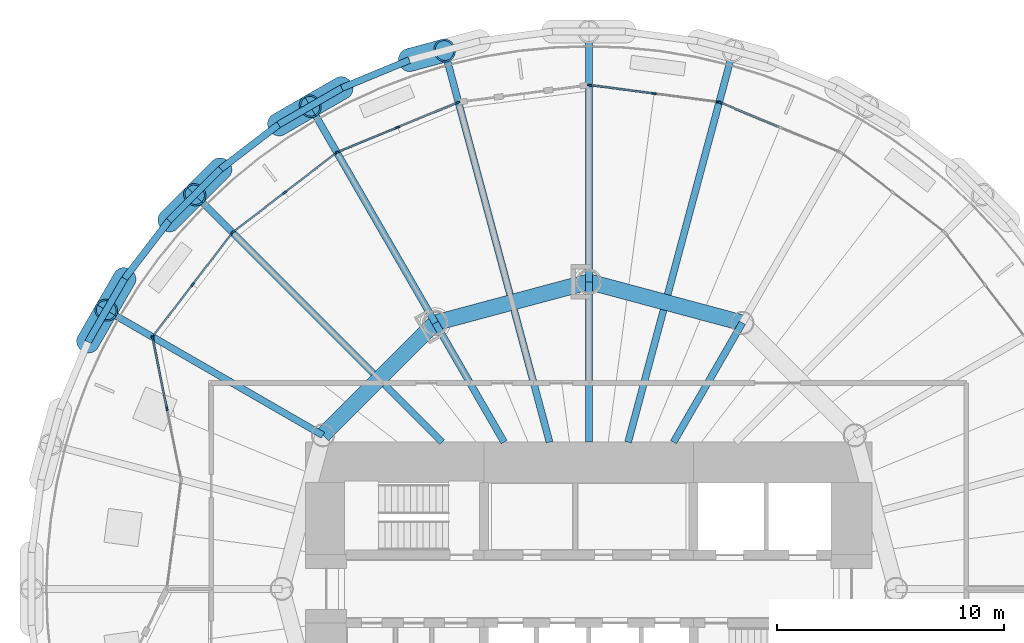
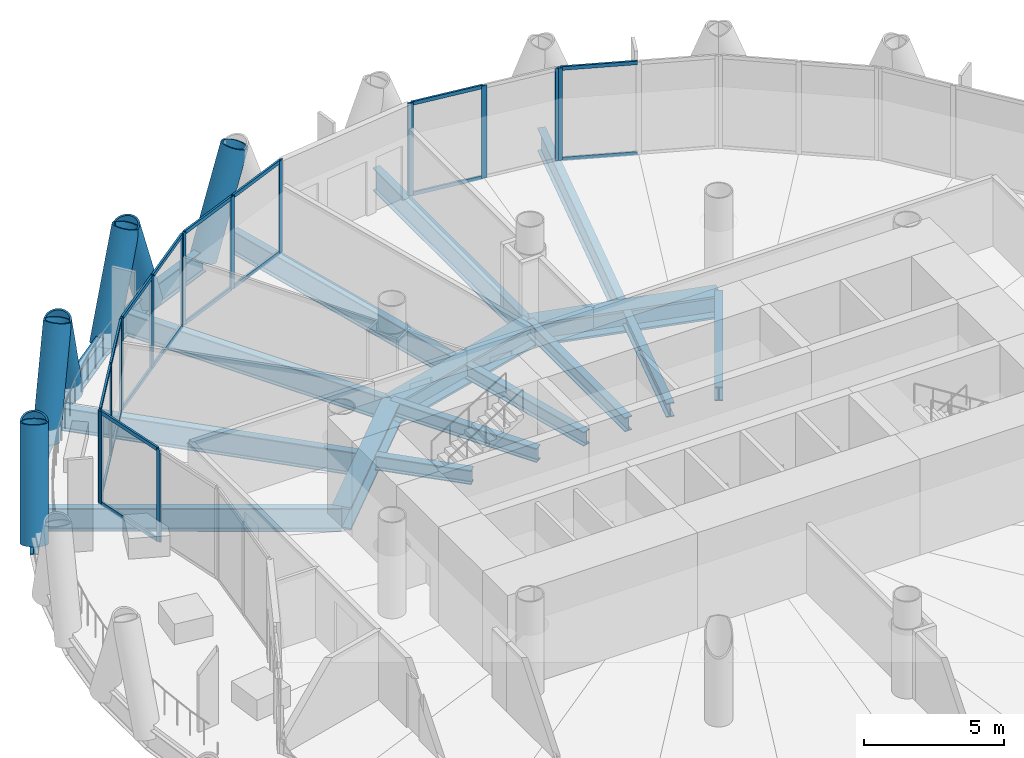
# One storey, part 6 of 16: 40 members, 21 beams, 6 elements without a shape of their own.
"""IFC4 building model written with IfcOpenShell, lengths in metres."""

from ifc_helpers import new_model, si_unit, direction, frame, origin, origin_2d, place, context, subcontext, project, spatial, rectangle, hollow_circle, i_section, extrude, material, material_profile, profile_set, type_object, element, aggregate, save


model = new_model("IFC4")

# Units and contexts
model_context = context("Model", 3, precision=1e-05, world=origin(), true_north=direction((0.0, 1.0)))
body_context = subcontext(model_context, "Body", "Model", "MODEL_VIEW")
ifc_project = project(units=[si_unit("LENGTHUNIT", "METRE"), si_unit("AREAUNIT", "SQUARE_METRE"), si_unit("VOLUMEUNIT", "CUBIC_METRE"), si_unit("PLANEANGLEUNIT", "RADIAN"), si_unit("MASSUNIT", "GRAM", prefix="KILO")], contexts=[model_context])

# Site, building, storey
site_placement = place(None, origin())
site = spatial("IfcSite", under=ifc_project, at=site_placement, CompositionType="ELEMENT")
building_placement = place(site_placement, origin())
building = spatial("IfcBuilding", under=site, at=building_placement, Name="Qaws Media Tower", CompositionType="ELEMENT")
storey_placement = place(building_placement, frame((0.0, 0.0, 173.0)))
storey = spatial("IfcBuildingStorey", under=building, at=storey_placement, Name="L39", CompositionType="ELEMENT", Elevation=173.0)

# Curtain wall, member
ifc_material_1 = material(Name="Aluminium and clear glass", Category="aluminium")
curtain_wall_type_1 = type_object("IfcCurtainWallType", Name="Unitised curtain wall CW-B", PredefinedType="NOTDEFINED", material=ifc_material_1)
curtain_wall_1_placement = place(storey_placement, origin())
curtain_wall_1 = element("IfcCurtainWall", 1, at=curtain_wall_1_placement, inside=storey, type_object=curtain_wall_type_1, Name="CWB curtain wall L39-05", PredefinedType="NOTDEFINED")
ifc_material_2 = material(Name="Aluminium mullion", Category="aluminium")
ifc_material_profile_1 = material_profile(ifc_material_2, rectangle(XDim=0.080078125, YDim=0.199951171875, at=origin_2d()), Name="80x200")
ifc_profile_set_1 = profile_set([ifc_material_profile_1], Name="Aluminium mullion")
member_type_1 = type_object("IfcMemberType", Name="Curtain wall mullion 80x200", PredefinedType="MULLION", material=ifc_profile_set_1)
member_1_placement = place(storey_placement, frame((65.769775390625, 71.3798828125, 0.0), z_axis=(0.0, 0.0, 1.0), x_axis=(-0.382683388683, -0.923879550605, 0.0)))
member_1 = element("IfcMember", 2, at=member_1_placement, type_object=member_type_1, Name="CWB mullion 3", PredefinedType="MULLION", context=body_context, shape_type="SweptSolid", body=[
    extrude(rectangle(XDim=0.080078125, YDim=0.199951171875, at=origin_2d()), origin(), (0.0, 0.0, 1.0), 4.0400390625),
])

# Curtain wall, members
curtain_wall_2_placement = place(storey_placement, origin())
curtain_wall_2 = element("IfcCurtainWall", 3, at=curtain_wall_2_placement, inside=storey, type_object=curtain_wall_type_1, Name="CWB curtain wall L39-06", PredefinedType="NOTDEFINED")
member_2_placement = place(storey_placement, frame((65.693115234375, 71.400390625, 0.0), z_axis=(0.0, 0.0, 1.0), x_axis=(-0.13052619774, -0.991444860647, 0.0)))
member_2 = element("IfcMember", 4, at=member_2_placement, type_object=member_type_1, Name="CWB mullion 1", PredefinedType="MULLION", context=body_context, shape_type="SweptSolid", body=[
    extrude(rectangle(XDim=0.080078125, YDim=0.199951171875, at=origin_2d()), origin(), (0.0, 0.0, 1.0), 4.0400390625),
])
member_3_placement = place(storey_placement, frame((62.866455078125, 71.772705078125, 0.0), z_axis=(0.0, 0.0, 1.0), x_axis=(-0.13052619774, -0.991444860647, 0.0)))
member_3 = element("IfcMember", 5, at=member_3_placement, type_object=member_type_1, Name="CWB mullion 2", PredefinedType="MULLION", context=body_context, shape_type="SweptSolid", body=[
    extrude(rectangle(XDim=0.080078125, YDim=0.199951171875, at=origin_2d()), origin(), (0.0, 0.0, 1.0), 4.0400390625),
])
member_4_placement = place(storey_placement, frame((60.03955078125, 72.144775390625, 0.0), z_axis=(0.0, 0.0, 1.0), x_axis=(-0.13052619774, -0.991444860647, 0.0)))
member_4 = element("IfcMember", 6, at=member_4_placement, type_object=member_type_1, Name="CWB mullion 3", PredefinedType="MULLION", context=body_context, shape_type="SweptSolid", body=[
    extrude(rectangle(XDim=0.080078125, YDim=0.199951171875, at=origin_2d()), origin(), (0.0, 0.0, 1.0), 4.0400390625),
])

curtain_wall_3_placement = place(storey_placement, origin())
curtain_wall_3 = element("IfcCurtainWall", 7, at=curtain_wall_3_placement, inside=storey, type_object=curtain_wall_type_1, Name="CWB curtain wall L39-08", PredefinedType="NOTDEFINED")
member_5_placement = place(storey_placement, frame((54.230224609375, 71.3798828125, 0.0), z_axis=(0.0, 0.0, 1.0), x_axis=(0.382683388683, -0.923879550605, 0.0)))
member_5 = element("IfcMember", 8, at=member_5_placement, type_object=member_type_1, Name="CWB mullion 1", PredefinedType="MULLION", context=body_context, shape_type="SweptSolid", body=[
    extrude(rectangle(XDim=0.080078125, YDim=0.199951171875, at=origin_2d()), origin(), (0.0, 0.0, 1.0), 4.0400390625),
])
member_6_placement = place(storey_placement, frame((51.59619140625, 70.288818359375, 0.0), z_axis=(0.0, 0.0, 1.0), x_axis=(0.382683388683, -0.923879550605, 0.0)))
member_6 = element("IfcMember", 9, at=member_6_placement, type_object=member_type_1, Name="CWB mullion 2", PredefinedType="MULLION", context=body_context, shape_type="SweptSolid", body=[
    extrude(rectangle(XDim=0.080078125, YDim=0.199951171875, at=origin_2d()), origin(), (0.0, 0.0, 1.0), 4.0400390625),
])
member_7_placement = place(storey_placement, frame((48.9619140625, 69.19775390625, 0.0), z_axis=(0.0, 0.0, 1.0), x_axis=(0.382683388683, -0.923879550605, 0.0)))
member_7 = element("IfcMember", 10, at=member_7_placement, type_object=member_type_1, Name="CWB mullion 3", PredefinedType="MULLION", context=body_context, shape_type="SweptSolid", body=[
    extrude(rectangle(XDim=0.080078125, YDim=0.199951171875, at=origin_2d()), origin(), (0.0, 0.0, 1.0), 4.0400390625),
])

curtain_wall_4_placement = place(storey_placement, origin())
curtain_wall_4 = element("IfcCurtainWall", 11, at=curtain_wall_4_placement, inside=storey, type_object=curtain_wall_type_1, Name="CWB curtain wall L39-09", PredefinedType="NOTDEFINED")
member_8_placement = place(storey_placement, frame((48.893310546875, 69.158203125, 0.0), z_axis=(0.0, 0.0, 1.0), x_axis=(0.60876150144, -0.793353284712, 0.0)))
member_8 = element("IfcMember", 12, at=member_8_placement, type_object=member_type_1, Name="CWB mullion 1", PredefinedType="MULLION", context=body_context, shape_type="SweptSolid", body=[
    extrude(rectangle(XDim=0.080078125, YDim=0.199951171875, at=origin_2d()), origin(), (0.0, 0.0, 1.0), 4.0400390625),
])
member_9_placement = place(storey_placement, frame((46.63134765625, 67.42236328125, 0.0), z_axis=(0.0, 0.0, 1.0), x_axis=(0.60876150144, -0.793353284712, 0.0)))
member_9 = element("IfcMember", 13, at=member_9_placement, type_object=member_type_1, Name="CWB mullion 2", PredefinedType="MULLION", context=body_context, shape_type="SweptSolid", body=[
    extrude(rectangle(XDim=0.080078125, YDim=0.199951171875, at=origin_2d()), origin(), (0.0, 0.0, 1.0), 4.0400390625),
])
member_10_placement = place(storey_placement, frame((44.369384765625, 65.686767578125, 0.0), z_axis=(0.0, 0.0, 1.0), x_axis=(0.60876150144, -0.793353284712, 0.0)))
member_10 = element("IfcMember", 14, at=member_10_placement, type_object=member_type_1, Name="CWB mullion 3", PredefinedType="MULLION", context=body_context, shape_type="SweptSolid", body=[
    extrude(rectangle(XDim=0.080078125, YDim=0.199951171875, at=origin_2d()), origin(), (0.0, 0.0, 1.0), 4.0400390625),
])

curtain_wall_5_placement = place(storey_placement, origin())
curtain_wall_5 = element("IfcCurtainWall", 15, at=curtain_wall_5_placement, inside=storey, type_object=curtain_wall_type_1, Name="CWB curtain wall L39-10", PredefinedType="NOTDEFINED")
member_11_placement = place(storey_placement, frame((44.313232421875, 65.630615234375, 0.0), z_axis=(0.0, 0.0, 1.0), x_axis=(0.793353284712, -0.60876150144, 0.0)))
member_11 = element("IfcMember", 16, at=member_11_placement, type_object=member_type_1, Name="CWB mullion 1", PredefinedType="MULLION", context=body_context, shape_type="SweptSolid", body=[
    extrude(rectangle(XDim=0.080078125, YDim=0.199951171875, at=origin_2d()), origin(), (0.0, 0.0, 1.0), 4.0400390625),
])
member_12_placement = place(storey_placement, frame((42.57763671875, 63.36865234375, 0.0), z_axis=(0.0, 0.0, 1.0), x_axis=(0.793353284712, -0.60876150144, 0.0)))
member_12 = element("IfcMember", 17, at=member_12_placement, type_object=member_type_1, Name="CWB mullion 2", PredefinedType="MULLION", context=body_context, shape_type="SweptSolid", body=[
    extrude(rectangle(XDim=0.080078125, YDim=0.199951171875, at=origin_2d()), origin(), (0.0, 0.0, 1.0), 4.0400390625),
])
member_13_placement = place(storey_placement, frame((40.841796875, 61.106689453125, 0.0), z_axis=(0.0, 0.0, 1.0), x_axis=(0.793353284712, -0.60876150144, 0.0)))
member_13 = element("IfcMember", 18, at=member_13_placement, type_object=member_type_1, Name="CWB mullion 3", PredefinedType="MULLION", context=body_context, shape_type="SweptSolid", body=[
    extrude(rectangle(XDim=0.080078125, YDim=0.199951171875, at=origin_2d()), origin(), (0.0, 0.0, 1.0), 4.0400390625),
])

ifc_material_3 = material(Name="Aluminium and clear glass", Category="aluminium")
curtain_wall_type_2 = type_object("IfcCurtainWallType", Name="Loggia curtain wall CW-G", PredefinedType="NOTDEFINED", material=ifc_material_3)
curtain_wall_6_placement = place(storey_placement, origin())
curtain_wall_6 = element("IfcCurtainWall", 19, at=curtain_wall_6_placement, inside=storey, type_object=curtain_wall_type_2, Name="CWG curtain wall L39-11", PredefinedType="NOTDEFINED")
member_14_placement = place(storey_placement, frame((40.825439453125, 61.035888671875, 0.0), z_axis=(0.0, 0.0, 1.0), x_axis=(0.980286386227, 0.197581884235, 0.0)))
member_14 = element("IfcMember", 20, at=member_14_placement, type_object=member_type_1, Name="CWG mullion 1", PredefinedType="MULLION", context=body_context, shape_type="SweptSolid", body=[
    extrude(rectangle(XDim=0.080078125, YDim=0.199951171875, at=origin_2d()), origin(), (0.0, 0.0, 1.0), 4.0400390625),
])
member_15_placement = place(storey_placement, frame((41.44970703125, 57.93798828125, 0.0), z_axis=(0.0, 0.0, 1.0), x_axis=(0.980286386227, 0.197581884235, 0.0)))
member_15 = element("IfcMember", 21, at=member_15_placement, type_object=member_type_1, Name="CWG mullion 2", PredefinedType="MULLION", context=body_context, shape_type="SweptSolid", body=[
    extrude(rectangle(XDim=0.080078125, YDim=0.199951171875, at=origin_2d()), origin(), (0.0, 0.0, 1.0), 4.0400390625),
])

# Member
ifc_material_4 = material(Name="Aluminium transom", Category="aluminium")
ifc_material_profile_2 = material_profile(ifc_material_4, rectangle(XDim=0.080078125, YDim=0.159912109375, at=origin_2d()), Name="80x160")
ifc_profile_set_2 = profile_set([ifc_material_profile_2], Name="Aluminium transom")
member_type_2 = type_object("IfcMemberType", Name="Curtain wall transom 80x160", PredefinedType="USERDEFINED", material=ifc_profile_set_2)
member_16_placement = place(storey_placement, frame((68.366943359375, 70.30419921875, 0.0400390625), z_axis=(-0.923875098, 0.382694138048, 0.0), x_axis=(-0.382694138048, -0.923875098, 0.0)))
member_16 = element("IfcMember", 22, at=member_16_placement, type_object=member_type_2, Name="CWB transom 2.1", ObjectType="TRANSOM", PredefinedType="USERDEFINED", context=body_context, shape_type="SweptSolid", body=[
    extrude(rectangle(XDim=0.080078125, YDim=0.159912109375, at=origin_2d()), origin(), (0.0, 0.0, 1.0), 2.771240234375),
])

member_17_placement = place(storey_placement, frame((68.366943359375, 70.30419921875, 4.0), z_axis=(-0.923875098, 0.382694138048, 0.0), x_axis=(-0.382694138048, -0.923875098, 0.0)))
member_17 = element("IfcMember", 23, at=member_17_placement, type_object=member_type_2, Name="CWB transom 2.2", ObjectType="TRANSOM", PredefinedType="USERDEFINED", context=body_context, shape_type="SweptSolid", body=[
    extrude(rectangle(XDim=0.080078125, YDim=0.159912109375, at=origin_2d()), origin(), (0.0, 0.0, 1.0), 2.771240234375),
])

aggregate(curtain_wall_1, [member_1, member_16, member_17])

member_18_placement = place(storey_placement, frame((62.82666015625, 71.77783203125, 0.0400390625), z_axis=(-0.991438994906, 0.13057074473, 0.0), x_axis=(-0.13057074473, -0.991438994906, 0.0)))
member_18 = element("IfcMember", 24, at=member_18_placement, type_object=member_type_2, Name="CWB transom 2.1", ObjectType="TRANSOM", PredefinedType="USERDEFINED", context=body_context, shape_type="SweptSolid", body=[
    extrude(rectangle(XDim=0.080078125, YDim=0.159912109375, at=origin_2d()), origin(), (0.0, 0.0, 1.0), 2.77099609375),
])

member_19_placement = place(storey_placement, frame((62.82666015625, 71.77783203125, 4.0), z_axis=(-0.991438994906, 0.13057074473, 0.0), x_axis=(-0.13057074473, -0.991438994906, 0.0)))
member_19 = element("IfcMember", 25, at=member_19_placement, type_object=member_type_2, Name="CWB transom 2.2", ObjectType="TRANSOM", PredefinedType="USERDEFINED", context=body_context, shape_type="SweptSolid", body=[
    extrude(rectangle(XDim=0.080078125, YDim=0.159912109375, at=origin_2d()), origin(), (0.0, 0.0, 1.0), 2.77099609375),
])

aggregate(curtain_wall_2, [member_2, member_3, member_4, member_18, member_19])

member_20_placement = place(storey_placement, frame((54.193359375, 71.36474609375, 0.0400390625), z_axis=(-0.923875098, -0.382694138048, 0.0), x_axis=(0.382694138048, -0.923875098, 0.0)))
member_20 = element("IfcMember", 26, at=member_20_placement, type_object=member_type_2, Name="CWB transom 1.1", ObjectType="TRANSOM", PredefinedType="USERDEFINED", context=body_context, shape_type="SweptSolid", body=[
    extrude(rectangle(XDim=0.080078125, YDim=0.159912109375, at=origin_2d()), origin(), (0.0, 0.0, 1.0), 2.771240234375),
])

member_21_placement = place(storey_placement, frame((54.193359375, 71.36474609375, 4.0), z_axis=(-0.923875098, -0.382694138048, 0.0), x_axis=(0.382694138048, -0.923875098, 0.0)))
member_21 = element("IfcMember", 27, at=member_21_placement, type_object=member_type_2, Name="CWB transom 1.2", ObjectType="TRANSOM", PredefinedType="USERDEFINED", context=body_context, shape_type="SweptSolid", body=[
    extrude(rectangle(XDim=0.080078125, YDim=0.159912109375, at=origin_2d()), origin(), (0.0, 0.0, 1.0), 2.771240234375),
])

member_22_placement = place(storey_placement, frame((51.55908203125, 70.2734375, 0.0400390625), z_axis=(-0.923893344572, -0.382650085398, 0.0), x_axis=(0.382650085398, -0.923893344572, 0.0)))
member_22 = element("IfcMember", 28, at=member_22_placement, type_object=member_type_2, Name="CWB transom 2.1", ObjectType="TRANSOM", PredefinedType="USERDEFINED", context=body_context, shape_type="SweptSolid", body=[
    extrude(rectangle(XDim=0.080078125, YDim=0.159912109375, at=origin_2d()), origin(), (0.0, 0.0, 1.0), 2.77099609375),
])

member_23_placement = place(storey_placement, frame((51.55908203125, 70.2734375, 4.0), z_axis=(-0.923893344572, -0.382650085398, 0.0), x_axis=(0.382650085398, -0.923893344572, 0.0)))
member_23 = element("IfcMember", 29, at=member_23_placement, type_object=member_type_2, Name="CWB transom 2.2", ObjectType="TRANSOM", PredefinedType="USERDEFINED", context=body_context, shape_type="SweptSolid", body=[
    extrude(rectangle(XDim=0.080078125, YDim=0.159912109375, at=origin_2d()), origin(), (0.0, 0.0, 1.0), 2.77099609375),
])

aggregate(curtain_wall_3, [member_5, member_6, member_7, member_20, member_21, member_22, member_23])

member_24_placement = place(storey_placement, frame((48.861572265625, 69.1337890625, 0.0400390625), z_axis=(-0.793343959233, -0.608773654447, 0.0), x_axis=(0.608773654447, -0.793343959233, 0.0)))
member_24 = element("IfcMember", 30, at=member_24_placement, type_object=member_type_2, Name="CWB transom 1.1", ObjectType="TRANSOM", PredefinedType="USERDEFINED", context=body_context, shape_type="SweptSolid", body=[
    extrude(rectangle(XDim=0.080078125, YDim=0.159912109375, at=origin_2d()), origin(), (0.0, 0.0, 1.0), 2.771240234375),
])

member_25_placement = place(storey_placement, frame((48.861572265625, 69.1337890625, 4.0), z_axis=(-0.793343959233, -0.608773654447, 0.0), x_axis=(0.608773654447, -0.793343959233, 0.0)))
member_25 = element("IfcMember", 31, at=member_25_placement, type_object=member_type_2, Name="CWB transom 1.2", ObjectType="TRANSOM", PredefinedType="USERDEFINED", context=body_context, shape_type="SweptSolid", body=[
    extrude(rectangle(XDim=0.080078125, YDim=0.159912109375, at=origin_2d()), origin(), (0.0, 0.0, 1.0), 2.771240234375),
])

member_26_placement = place(storey_placement, frame((46.599609375, 67.398193359375, 0.0400390625), z_axis=(-0.793343959233, -0.608773654447, 0.0), x_axis=(0.608773654447, -0.793343959233, 0.0)))
member_26 = element("IfcMember", 32, at=member_26_placement, type_object=member_type_2, Name="CWB transom 2.1", ObjectType="TRANSOM", PredefinedType="USERDEFINED", context=body_context, shape_type="SweptSolid", body=[
    extrude(rectangle(XDim=0.080078125, YDim=0.159912109375, at=origin_2d()), origin(), (0.0, 0.0, 1.0), 2.771240234375),
])

member_27_placement = place(storey_placement, frame((46.599609375, 67.398193359375, 4.0), z_axis=(-0.793343959233, -0.608773654447, 0.0), x_axis=(0.608773654447, -0.793343959233, 0.0)))
member_27 = element("IfcMember", 33, at=member_27_placement, type_object=member_type_2, Name="CWB transom 2.2", ObjectType="TRANSOM", PredefinedType="USERDEFINED", context=body_context, shape_type="SweptSolid", body=[
    extrude(rectangle(XDim=0.080078125, YDim=0.159912109375, at=origin_2d()), origin(), (0.0, 0.0, 1.0), 2.771240234375),
])

aggregate(curtain_wall_4, [member_8, member_9, member_10, member_24, member_25, member_26, member_27])

member_28_placement = place(storey_placement, frame((44.288818359375, 65.598876953125, 0.0400390625), z_axis=(-0.608773654447, -0.793343959233, 0.0), x_axis=(0.793343959233, -0.608773654447, 0.0)))
member_28 = element("IfcMember", 34, at=member_28_placement, type_object=member_type_2, Name="CWB transom 1.1", ObjectType="TRANSOM", PredefinedType="USERDEFINED", context=body_context, shape_type="SweptSolid", body=[
    extrude(rectangle(XDim=0.080078125, YDim=0.159912109375, at=origin_2d()), origin(), (0.0, 0.0, 1.0), 2.771240234375),
])

member_29_placement = place(storey_placement, frame((44.288818359375, 65.598876953125, 4.0), z_axis=(-0.608773654447, -0.793343959233, 0.0), x_axis=(0.793343959233, -0.608773654447, 0.0)))
member_29 = element("IfcMember", 35, at=member_29_placement, type_object=member_type_2, Name="CWB transom 1.2", ObjectType="TRANSOM", PredefinedType="USERDEFINED", context=body_context, shape_type="SweptSolid", body=[
    extrude(rectangle(XDim=0.080078125, YDim=0.159912109375, at=origin_2d()), origin(), (0.0, 0.0, 1.0), 2.771240234375),
])

member_30_placement = place(storey_placement, frame((42.55322265625, 63.3369140625, 0.0400390625), z_axis=(-0.608773654447, -0.793343959233, 0.0), x_axis=(0.793343959233, -0.608773654447, 0.0)))
member_30 = element("IfcMember", 36, at=member_30_placement, type_object=member_type_2, Name="CWB transom 2.1", ObjectType="TRANSOM", PredefinedType="USERDEFINED", context=body_context, shape_type="SweptSolid", body=[
    extrude(rectangle(XDim=0.080078125, YDim=0.159912109375, at=origin_2d()), origin(), (0.0, 0.0, 1.0), 2.771240234375),
])

member_31_placement = place(storey_placement, frame((42.55322265625, 63.3369140625, 4.0), z_axis=(-0.608773654447, -0.793343959233, 0.0), x_axis=(0.793343959233, -0.608773654447, 0.0)))
member_31 = element("IfcMember", 37, at=member_31_placement, type_object=member_type_2, Name="CWB transom 2.2", ObjectType="TRANSOM", PredefinedType="USERDEFINED", context=body_context, shape_type="SweptSolid", body=[
    extrude(rectangle(XDim=0.080078125, YDim=0.159912109375, at=origin_2d()), origin(), (0.0, 0.0, 1.0), 2.771240234375),
])

aggregate(curtain_wall_5, [member_11, member_12, member_13, member_28, member_29, member_30, member_31])

member_32_placement = place(storey_placement, frame((40.833251953125, 60.99658203125, 0.0400390625), z_axis=(0.197609763961, -0.980280766509, 0.0), x_axis=(0.980280766509, 0.197609763961, 0.0)))
member_32 = element("IfcMember", 38, at=member_32_placement, type_object=member_type_2, Name="CWG transom 1.1", ObjectType="TRANSOM", PredefinedType="USERDEFINED", context=body_context, shape_type="SweptSolid", body=[
    extrude(rectangle(XDim=0.080078125, YDim=0.159912109375, at=origin_2d()), origin(), (0.0, 0.0, 1.0), 3.080078125),
])

member_33_placement = place(storey_placement, frame((40.833251953125, 60.99658203125, 4.0), z_axis=(0.197609763961, -0.980280766509, 0.0), x_axis=(0.980280766509, 0.197609763961, 0.0)))
member_33 = element("IfcMember", 39, at=member_33_placement, type_object=member_type_2, Name="CWG transom 1.2", ObjectType="TRANSOM", PredefinedType="USERDEFINED", context=body_context, shape_type="SweptSolid", body=[
    extrude(rectangle(XDim=0.080078125, YDim=0.159912109375, at=origin_2d()), origin(), (0.0, 0.0, 1.0), 3.080078125),
])

aggregate(curtain_wall_6, [member_14, member_15, member_32, member_33])

# Members
ifc_material_5 = material(Name="Steel S460", Category="steel")
ifc_material_profile_3 = material_profile(ifc_material_5, hollow_circle(Radius=0.508056640625, WallThickness=0.070068359375, at=origin_2d()), Name="CHS 1016x70")
ifc_profile_set_3 = profile_set([ifc_material_profile_3], Name="Steel S460")
member_type_3 = type_object("IfcMemberType", Name="Diagrid member CHS 1016x70", PredefinedType="USERDEFINED", material=ifc_profile_set_3)
for number, where, z_axis, x_axis, name in (
    (40, (49.141845703125, 72.018310546875, -0.6640625), (-0.309543146087, -0.178091829357, 0.934059067204), (0.498691062685, -0.866779801332, 0.0), "DG3 diagrid L39 A08"),
    (41, (52.108642578125, 73.2470703125, -0.6640625), (0.344782928051, 0.093009945788, 0.934063104136), (-0.260453274748, 0.965486453387, 0.0), "DG3 diagrid L39 B08"),
    (42, (43.81298828125, 68.457763671875, -0.6640625), (-0.252914124892, -0.252099674082, 0.934066485727), (0.705965490928, -0.708246232337, 0.0), "DG3 diagrid L39 A09"),
    (43, (46.36083984375, 70.41259765625, -0.6640625), (0.308952031339, 0.179018426595, 0.934077644134), (-0.501353929975, 0.865242299532, 0.0), "DG3 diagrid L39 B09"),
    (44, (39.58740234375, 63.63916015625, -0.6640625), (-0.179018426595, -0.308952031339, 0.934077644134), (0.865242299532, -0.501353929975, 0.0), "DG3 diagrid L39 A10"),
    (45, (41.542236328125, 66.18701171875, -0.6640625), (0.252099674082, 0.252914124892, 0.934066485727), (-0.708246232337, 0.705965490928, 0.0), "DG3 diagrid L39 B10"),
    (46, (37.981689453125, 60.858154296875, -0.6640625), (0.178091829357, 0.309543146087, 0.934059067204), (-0.866779801332, 0.498691062685, 0.0), "DG3 diagrid L39 B11"),
):
    element("IfcMember", number, at=place(storey_placement, frame(where, z_axis=z_axis, x_axis=x_axis)), inside=storey, type_object=member_type_3, Name=name, ObjectType="DIAGRID", PredefinedType="USERDEFINED", context=body_context, shape_type="SweptSolid", body=[
        extrude(hollow_circle(Radius=0.508056640625, WallThickness=0.070068359375, at=origin_2d()), origin(), (0.0, 0.0, 1.0), 4.496337890625),
    ])

# Beams
ifc_material_6 = material(Name="Steel S460", Category="steel")
ifc_material_profile_4 = material_profile(ifc_material_6, i_section(OverallWidth=0.302001953125, OverallDepth=1.008056640625, WebThickness=0.02099609375, FlangeThickness=0.0400390625, FilletRadius=0.030029296875, at=origin_2d()), Name="HE 1000 M")
ifc_profile_set_4 = profile_set([ifc_material_profile_4], Name="Steel S460")
beam_type_1 = type_object("IfcBeamType", Name="Edge ring beam HE 1000 M", PredefinedType="BEAM", material=ifc_profile_set_4)
for number, where, z_axis, x_axis, name in (
    (47, (52.108642578125, 73.2470703125, -0.6640625), (-0.923893595769, -0.382649478893, 0.0), (0.382649478893, -0.923893595769, 0.0), "RB3 edge ring beam L39-15"),
    (48, (49.141845703125, 72.018310546875, -0.6640625), (-0.866012133876, -0.500022983452, 0.0), (0.500022983452, -0.866012133876, 0.0), "RB3 edge ring beam L39-16"),
):
    element("IfcBeam", number, at=place(storey_placement, frame(where, z_axis=z_axis, x_axis=x_axis)), inside=storey, type_object=beam_type_1, Name=name, PredefinedType="BEAM", context=body_context, shape_type="SweptSolid", body=[
        extrude(i_section(OverallWidth=0.302001953125, OverallDepth=1.008056640625, WebThickness=0.02099609375, FlangeThickness=0.0400390625, FilletRadius=0.030029296875, at=origin_2d()), origin(), (0.0, 0.0, 1.0), 3.211181640625),
    ])
for number, where, z_axis, x_axis, name in (
    (49, (46.36083984375, 70.41259765625, -0.6640625), (-0.793383610218, -0.608721978441, 0.0), (0.608721978441, -0.793383610218, 0.0), "RB3 edge ring beam L39-17"),
    (50, (43.81298828125, 68.457763671875, -0.6640625), (-0.707106781187, -0.707106781187, 0.0), (0.707106781187, -0.707106781187, 0.0), "RB3 edge ring beam L39-18"),
    (51, (41.542236328125, 66.18701171875, -0.6640625), (-0.608721978441, -0.793383610218, 0.0), (0.793383610218, -0.608721978441, 0.0), "RB3 edge ring beam L39-19"),
):
    element("IfcBeam", number, at=place(storey_placement, frame(where, z_axis=z_axis, x_axis=x_axis)), inside=storey, type_object=beam_type_1, Name=name, PredefinedType="BEAM", context=body_context, shape_type="SweptSolid", body=[
        extrude(i_section(OverallWidth=0.302001953125, OverallDepth=1.008056640625, WebThickness=0.02099609375, FlangeThickness=0.0400390625, FilletRadius=0.030029296875, at=origin_2d()), origin(), (0.0, 0.0, 1.0), 3.21142578125),
    ])
beam_1_placement = place(storey_placement, frame((39.58740234375, 63.63916015625, -0.6640625), z_axis=(-0.500022983452, -0.866012133876, 0.0), x_axis=(0.866012133876, -0.500022983452, 0.0)))
element("IfcBeam", 52, at=beam_1_placement, inside=storey, type_object=beam_type_1, Name="RB3 edge ring beam L39-20", PredefinedType="BEAM", context=body_context, shape_type="SweptSolid", body=[
    extrude(i_section(OverallWidth=0.302001953125, OverallDepth=1.008056640625, WebThickness=0.02099609375, FlangeThickness=0.0400390625, FilletRadius=0.030029296875, at=origin_2d()), origin(), (0.0, 0.0, 1.0), 3.211181640625),
])
ifc_material_7 = material(Name="Steel S460", Category="steel")
ifc_material_profile_5 = material_profile(ifc_material_7, i_section(OverallWidth=0.699951171875, OverallDepth=1.0, WebThickness=0.034912109375, FlangeThickness=0.090087890625, at=origin_2d()), Name="PG 1000x700")
ifc_profile_set_5 = profile_set([ifc_material_profile_5], Name="Steel S460")
beam_type_2 = type_object("IfcBeamType", Name="Inner ring girder PG 1000x700", PredefinedType="BEAM", material=ifc_profile_set_5)
for number, where, z_axis, x_axis, name in (
    (53, (66.75, 61.69140625, -0.659912109375), (-0.965928090778, 0.258810593767, 0.0), (-0.258810593767, -0.965928090778, 0.0), "B3 inner ring beam L39 I03-I04"),
    (54, (60.0, 63.5, -0.659912109375), (-0.965928090778, -0.258810593767, 0.0), (0.258810593767, -0.965928090778, 0.0), "B3 inner ring beam L39 I04-I05"),
):
    element("IfcBeam", number, at=place(storey_placement, frame(where, z_axis=z_axis, x_axis=x_axis)), inside=storey, type_object=beam_type_2, Name=name, PredefinedType="BEAM", context=body_context, shape_type="SweptSolid", body=[
        extrude(i_section(OverallWidth=0.699951171875, OverallDepth=1.0, WebThickness=0.034912109375, FlangeThickness=0.090087890625, at=origin_2d()), origin(), (0.0, 0.0, 1.0), 6.988037109375),
    ])
beam_2_placement = place(storey_placement, frame((53.25, 61.69140625, -0.659912109375), z_axis=(-0.707106781187, -0.707106781187, 0.0), x_axis=(0.707106781187, -0.707106781187, 0.0)))
element("IfcBeam", 55, at=beam_2_placement, inside=storey, type_object=beam_type_2, Name="B3 inner ring beam L39 I05-I06", PredefinedType="BEAM", context=body_context, shape_type="SweptSolid", body=[
    extrude(i_section(OverallWidth=0.699951171875, OverallDepth=1.0, WebThickness=0.034912109375, FlangeThickness=0.090087890625, at=origin_2d()), origin(), (0.0, 0.0, 1.0), 6.98828125),
])
ifc_material_8 = material(Name="Steel S355", Category="steel")
ifc_material_profile_6 = material_profile(ifc_material_8, i_section(OverallWidth=0.302001953125, OverallDepth=1.008056640625, WebThickness=0.02099609375, FlangeThickness=0.0400390625, FilletRadius=0.030029296875, at=origin_2d()), Name="HE 1000 M")
ifc_profile_set_6 = profile_set([ifc_material_profile_6], Name="Steel S355")
beam_type_3 = type_object("IfcBeamType", Name="Radial beam HE 1000 M", PredefinedType="BEAM", material=ifc_profile_set_6)
beam_3_placement = place(storey_placement, frame((63.465576171875, 62.933837890625, -0.6640625), z_axis=(0.258818486028, 0.965925976093, 0.0), x_axis=(-0.965925976093, 0.258818486028, 0.0)))
element("IfcBeam", 56, at=beam_3_placement, inside=storey, type_object=beam_type_3, Name="B1 radial beam L39 06", PredefinedType="BEAM", context=body_context, shape_type="SweptSolid", body=[
    extrude(i_section(OverallWidth=0.302001953125, OverallDepth=1.008056640625, WebThickness=0.02099609375, FlangeThickness=0.0400390625, FilletRadius=0.030029296875, at=origin_2d()), origin(), (0.0, 0.0, 1.0), 11.107177734375),
])
beam_4_placement = place(storey_placement, frame((60.0, 63.5, -0.6640625), z_axis=(0.0, 1.0, 0.0), x_axis=(-1.0, 0.0, 0.0)))
element("IfcBeam", 57, at=beam_4_placement, inside=storey, type_object=beam_type_3, Name="B1 radial beam L39 07", PredefinedType="BEAM", context=body_context, shape_type="SweptSolid", body=[
    extrude(i_section(OverallWidth=0.302001953125, OverallDepth=1.008056640625, WebThickness=0.02099609375, FlangeThickness=0.0400390625, FilletRadius=0.030029296875, at=origin_2d()), origin(), (0.0, 0.0, 1.0), 10.99755859375),
])
beam_5_placement = place(storey_placement, frame((56.534423828125, 62.933837890625, -0.6640625), z_axis=(-0.258818486028, 0.965925976093, 0.0), x_axis=(-0.965925976093, -0.258818486028, 0.0)))
element("IfcBeam", 58, at=beam_5_placement, inside=storey, type_object=beam_type_3, Name="B1 radial beam L39 08", PredefinedType="BEAM", context=body_context, shape_type="SweptSolid", body=[
    extrude(i_section(OverallWidth=0.302001953125, OverallDepth=1.008056640625, WebThickness=0.02099609375, FlangeThickness=0.0400390625, FilletRadius=0.030029296875, at=origin_2d()), origin(), (0.0, 0.0, 1.0), 11.107177734375),
])
beam_6_placement = place(storey_placement, frame((53.25, 61.69140625, -0.6640625), z_axis=(-0.50000942383, 0.866019962865, 0.0), x_axis=(-0.866019962865, -0.50000942383, 0.0)))
element("IfcBeam", 59, at=beam_6_placement, inside=storey, type_object=beam_type_3, Name="B1 radial beam L39 09", PredefinedType="BEAM", context=body_context, shape_type="SweptSolid", body=[
    extrude(i_section(OverallWidth=0.302001953125, OverallDepth=1.008056640625, WebThickness=0.02099609375, FlangeThickness=0.0400390625, FilletRadius=0.030029296875, at=origin_2d()), origin(), (0.0, 0.0, 1.0), 10.997314453125),
])
beam_7_placement = place(storey_placement, frame((50.53173828125, 59.46826171875, -0.6640625), z_axis=(-0.707106781187, 0.707106781187, 0.0), x_axis=(-0.707106781187, -0.707106781187, 0.0)))
element("IfcBeam", 60, at=beam_7_placement, inside=storey, type_object=beam_type_3, Name="B1 radial beam L39 10", PredefinedType="BEAM", context=body_context, shape_type="SweptSolid", body=[
    extrude(i_section(OverallWidth=0.302001953125, OverallDepth=1.008056640625, WebThickness=0.02099609375, FlangeThickness=0.0400390625, FilletRadius=0.030029296875, at=origin_2d()), origin(), (0.0, 0.0, 1.0), 11.107177734375),
])
beam_8_placement = place(storey_placement, frame((48.30859375, 56.75, -0.6640625), z_axis=(-0.866019962865, 0.50000942383, 0.0), x_axis=(-0.50000942383, -0.866019962865, 0.0)))
element("IfcBeam", 61, at=beam_8_placement, inside=storey, type_object=beam_type_3, Name="B1 radial beam L39 11", PredefinedType="BEAM", context=body_context, shape_type="SweptSolid", body=[
    extrude(i_section(OverallWidth=0.302001953125, OverallDepth=1.008056640625, WebThickness=0.02099609375, FlangeThickness=0.0400390625, FilletRadius=0.030029296875, at=origin_2d()), origin(), (0.0, 0.0, 1.0), 10.997314453125),
])
ifc_material_9 = material(Name="Steel S355", Category="steel")
ifc_material_profile_7 = material_profile(ifc_material_9, i_section(OverallWidth=0.304931640625, OverallDepth=0.6201171875, WebThickness=0.02099609375, FlangeThickness=0.0400390625, FilletRadius=0.027099609375, at=origin_2d()), Name="HE 600 M")
ifc_profile_set_7 = profile_set([ifc_material_profile_7], Name="Steel S355")
beam_type_4 = type_object("IfcBeamType", Name="Radial beam HE 600 M, core side", PredefinedType="BEAM", material=ifc_profile_set_7)
beam_9_placement = place(storey_placement, frame((63.723876953125, 56.449951171875, -0.469970703125), z_axis=(0.499995978368, 0.866027725662, 0.0), x_axis=(-0.866027725662, 0.499995978368, 0.0)))
element("IfcBeam", 62, at=beam_9_placement, inside=storey, type_object=beam_type_4, Name="B2 radial beam L39 05", PredefinedType="BEAM", context=body_context, shape_type="SweptSolid", body=[
    extrude(i_section(OverallWidth=0.304931640625, OverallDepth=0.6201171875, WebThickness=0.02099609375, FlangeThickness=0.0400390625, FilletRadius=0.027099609375, at=origin_2d()), origin(), (0.0, 0.0, 1.0), 6.05224609375),
])
beam_10_placement = place(storey_placement, frame((61.728271484375, 56.449951171875, -0.469970703125), z_axis=(0.258819977482, 0.965925576458, 0.0), x_axis=(-0.965925576458, 0.258819977482, 0.0)))
element("IfcBeam", 63, at=beam_10_placement, inside=storey, type_object=beam_type_4, Name="B2 radial beam L39 06", PredefinedType="BEAM", context=body_context, shape_type="SweptSolid", body=[
    extrude(i_section(OverallWidth=0.304931640625, OverallDepth=0.6201171875, WebThickness=0.02099609375, FlangeThickness=0.0400390625, FilletRadius=0.027099609375, at=origin_2d()), origin(), (0.0, 0.0, 1.0), 6.012451171875),
])
beam_11_placement = place(storey_placement, frame((60.0, 56.449951171875, -0.469970703125), z_axis=(0.0, 1.0, 0.0), x_axis=(-1.0, 0.0, 0.0)))
element("IfcBeam", 64, at=beam_11_placement, inside=storey, type_object=beam_type_4, Name="B2 radial beam L39 07", PredefinedType="BEAM", context=body_context, shape_type="SweptSolid", body=[
    extrude(i_section(OverallWidth=0.304931640625, OverallDepth=0.6201171875, WebThickness=0.02099609375, FlangeThickness=0.0400390625, FilletRadius=0.027099609375, at=origin_2d()), origin(), (0.0, 0.0, 1.0), 7.050048828125),
])
beam_12_placement = place(storey_placement, frame((58.271728515625, 56.449951171875, -0.469970703125), z_axis=(-0.258819977482, 0.965925576458, 0.0), x_axis=(-0.965925576458, -0.258819977482, 0.0)))
element("IfcBeam", 65, at=beam_12_placement, inside=storey, type_object=beam_type_4, Name="B2 radial beam L39 08", PredefinedType="BEAM", context=body_context, shape_type="SweptSolid", body=[
    extrude(i_section(OverallWidth=0.304931640625, OverallDepth=0.6201171875, WebThickness=0.02099609375, FlangeThickness=0.0400390625, FilletRadius=0.027099609375, at=origin_2d()), origin(), (0.0, 0.0, 1.0), 6.012451171875),
])
beam_13_placement = place(storey_placement, frame((56.276123046875, 56.449951171875, -0.469970703125), z_axis=(-0.499995978368, 0.866027725662, 0.0), x_axis=(-0.866027725662, -0.499995978368, 0.0)))
element("IfcBeam", 66, at=beam_13_placement, inside=storey, type_object=beam_type_4, Name="B2 radial beam L39 09", PredefinedType="BEAM", context=body_context, shape_type="SweptSolid", body=[
    extrude(i_section(OverallWidth=0.304931640625, OverallDepth=0.6201171875, WebThickness=0.02099609375, FlangeThickness=0.0400390625, FilletRadius=0.027099609375, at=origin_2d()), origin(), (0.0, 0.0, 1.0), 6.05224609375),
])
beam_14_placement = place(storey_placement, frame((53.550048828125, 56.449951171875, -0.469970703125), z_axis=(-0.707106781187, 0.707106781187, 0.0), x_axis=(-0.707106781187, -0.707106781187, 0.0)))
element("IfcBeam", 67, at=beam_14_placement, inside=storey, type_object=beam_type_4, Name="B2 radial beam L39 10", PredefinedType="BEAM", context=body_context, shape_type="SweptSolid", body=[
    extrude(i_section(OverallWidth=0.304931640625, OverallDepth=0.6201171875, WebThickness=0.02099609375, FlangeThickness=0.0400390625, FilletRadius=0.027099609375, at=origin_2d()), origin(), (0.0, 0.0, 1.0), 3.568359375),
])

save(model, "model.ifc")
